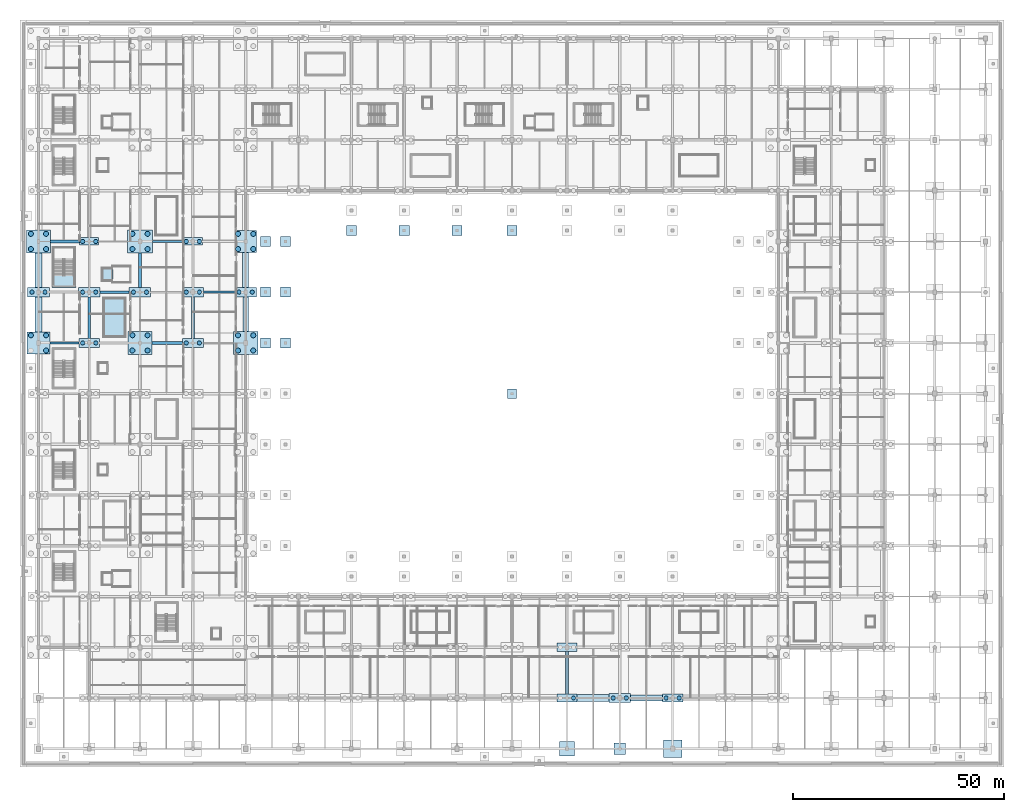
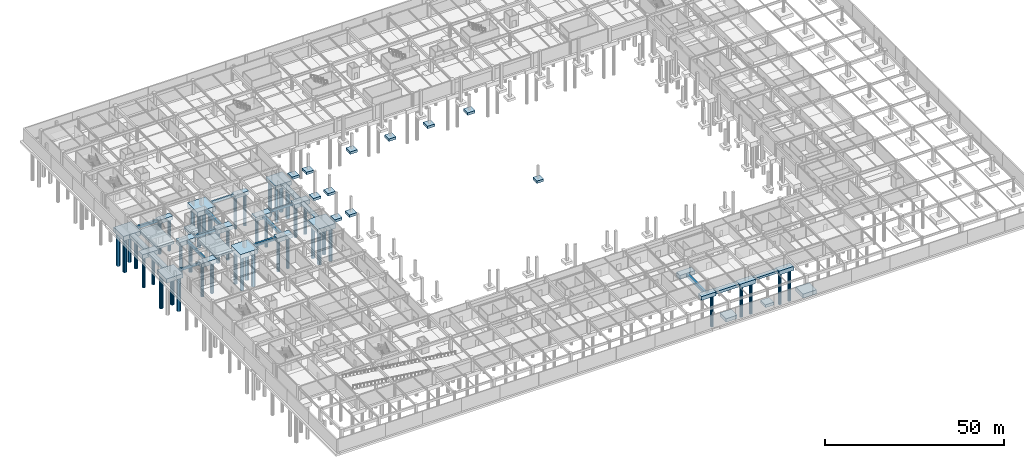
# One storey, part 4 of 56: 52 footings, 46 piles.
"""IFC4 building model written with IfcOpenShell, lengths in metres."""

from ifc_helpers import new_model, si_unit, direction, frame, origin, origin_2d, place, context, subcontext, project, spatial, polyline, rectangle, circle, outline, extrude, material, material_profile, profile_set, type_object, element, save


model = new_model("IFC4")

# Units and contexts
model_context = context("Model", 3, precision=1e-05, world=origin(), true_north=direction((0.0, 1.0)))
body_context = subcontext(model_context, "Body", "Model", "MODEL_VIEW")
ifc_project = project(units=[si_unit("LENGTHUNIT", "METRE"), si_unit("AREAUNIT", "SQUARE_METRE"), si_unit("VOLUMEUNIT", "CUBIC_METRE"), si_unit("PLANEANGLEUNIT", "RADIAN"), si_unit("MASSUNIT", "GRAM", prefix="KILO")], contexts=[model_context])

# Site, building, storey
site_placement = place(None, origin())
site = spatial("IfcSite", under=ifc_project, at=site_placement, CompositionType="ELEMENT")
building_placement = place(site_placement, origin())
building = spatial("IfcBuilding", under=site, at=building_placement, Name="Kazenohara Klinker Stadium", CompositionType="ELEMENT")
storey_placement = place(building_placement, frame((0.0, 0.0, -4.800048828125)))
storey = spatial("IfcBuildingStorey", under=building, at=storey_placement, Name="B01", CompositionType="ELEMENT", Elevation=-4.800048828125)

# Footings
ifc_material = material(Name="Concrete C35/45", Category="concrete")
footing_type_1 = type_object("IfcFootingType", Name="CAP-PC01", PredefinedType="PILE_CAP", material=ifc_material)
for number, where, z_axis, x_axis, name in (
    (1, (12.0, 120.0, -1.25), (0.0, 0.0, 1.0), (1.0, 0.0, 0.0), "Pile cap PC01 at 2/L"),
    (2, (36.5, 120.0, -1.25), (0.0, 0.0, 1.0), (1.0, 0.0, 0.0), "Pile cap PC01 at 4/L"),
):
    element("IfcFooting", number, at=place(storey_placement, frame(where, z_axis=z_axis, x_axis=x_axis)), inside=storey, type_object=footing_type_1, Name=name, PredefinedType="PILE_CAP", context=body_context, shape_type="SweptSolid", body=[
        extrude(rectangle(XDim=4.5, YDim=1.800048828125, at=origin_2d()), origin(), (0.0, 0.0, 1.0), 1.25),
    ])
footing_type_2 = type_object("IfcFootingType", Name="CAP-PC02", PredefinedType="PILE_CAP", material=ifc_material)
footing_1_placement = place(storey_placement, frame((125.0, 12.0, -1.2998046875), z_axis=(0.0, 0.0, 1.0), x_axis=(1.0, 0.0, 0.0)))
element("IfcFooting", 3, at=footing_1_placement, inside=storey, type_object=footing_type_2, Name="Pile cap PC02 at 11/B", PredefinedType="PILE_CAP", context=body_context, shape_type="SweptSolid", body=[
    extrude(rectangle(XDim=4.64990234375, YDim=1.89990234375, at=origin_2d()), origin(), (0.0, 0.0, 1.0), 1.300048828125),
])
footing_type_3 = type_object("IfcFootingType", Name="CAP-PC03", PredefinedType="PILE_CAP", material=ifc_material)
for number, where, z_axis, x_axis, name in (
    (4, (125.0, 24.0, -1.35009765625), (0.0, 0.0, 1.0), (1.0, 0.0, 0.0), "Pile cap PC03 at 11/C"),
    (5, (150.0, 12.0, -1.35009765625), (0.0, 0.0, 1.0), (1.0, 0.0, 0.0), "Pile cap PC03 at 13/B"),
):
    element("IfcFooting", number, at=place(storey_placement, frame(where, z_axis=z_axis, x_axis=x_axis)), inside=storey, type_object=footing_type_3, Name=name, PredefinedType="PILE_CAP", context=body_context, shape_type="SweptSolid", body=[
        extrude(rectangle(XDim=4.800048828125, YDim=2.0, at=origin_2d()), origin(), (0.0, 0.0, 1.0), 1.35009765625),
    ])
footing_type_4 = type_object("IfcFootingType", Name="CAP-PC04", PredefinedType="PILE_CAP", material=ifc_material)
for number, where, z_axis, x_axis, name in (
    (6, (12.0, 96.0, -1.39990234375), (0.0, 0.0, 1.0), (1.0, 0.0, 0.0), "Pile cap PC04 at 2/J"),
    (7, (36.5, 96.0, -1.39990234375), (0.0, 0.0, 1.0), (1.0, 0.0, 0.0), "Pile cap PC04 at 4/J"),
):
    element("IfcFooting", number, at=place(storey_placement, frame(where, z_axis=z_axis, x_axis=x_axis)), inside=storey, type_object=footing_type_4, Name=name, PredefinedType="PILE_CAP", context=body_context, shape_type="SweptSolid", body=[
        extrude(rectangle(XDim=4.949951171875, YDim=2.10009765625, at=origin_2d()), origin(), (0.0, 0.0, 1.0), 1.39990234375),
    ])
footing_type_5 = type_object("IfcFootingType", Name="CAP-PC05", PredefinedType="PILE_CAP", material=ifc_material)
for number, where, z_axis, x_axis, name in (
    (8, (0.0, 108.0, -1.44970703125), (0.0, 0.0, 1.0), (1.0, 0.0, 0.0), "Pile cap PC05 at 1/K"),
    (9, (12.0, 108.0, -1.44970703125), (0.0, 0.0, 1.0), (1.0, 0.0, 0.0), "Pile cap PC05 at 2/K"),
    (10, (24.0, 108.0, -1.44970703125), (0.0, 0.0, 1.0), (1.0, 0.0, 0.0), "Pile cap PC05 at 3/K"),
    (11, (36.5, 108.0, -1.44970703125), (0.0, 0.0, 1.0), (1.0, 0.0, 0.0), "Pile cap PC05 at 4/K"),
    (12, (49.0, 108.0, -1.44970703125), (0.0, 0.0, 1.0), (1.0, 0.0, 0.0), "Pile cap PC05 at 5/K"),
    (13, (137.5, 12.0, -1.44970703125), (0.0, 0.0, 1.0), (1.0, 0.0, 0.0), "Pile cap PC05 at 12/B"),
):
    element("IfcFooting", number, at=place(storey_placement, frame(where, z_axis=z_axis, x_axis=x_axis)), inside=storey, type_object=footing_type_5, Name=name, PredefinedType="PILE_CAP", context=body_context, shape_type="SweptSolid", body=[
        extrude(rectangle(XDim=5.10009765625, YDim=2.199951171875, at=origin_2d()), origin(), (0.0, 0.0, 1.0), 1.449951171875),
    ])
footing_type_6 = type_object("IfcFootingType", Name="CAP-PC06", PredefinedType="PILE_CAP", material=ifc_material)
footing_2_placement = place(storey_placement, frame((49.0, 120.0, -1.39990234375), z_axis=(0.0, 0.0, 1.0), x_axis=(1.0, 0.0, 0.0)))
element("IfcFooting", 14, at=footing_2_placement, inside=storey, type_object=footing_type_6, Name="Pile cap PC06 at 5/L", PredefinedType="PILE_CAP", context=body_context, shape_type="SweptSolid", body=[
    extrude(rectangle(XDim=5.199951171875, YDim=5.199951171875, at=origin_2d()), origin(), (0.0, 0.0, 1.0), 1.39990234375),
])
footing_type_7 = type_object("IfcFootingType", Name="CAP-PC07", PredefinedType="PILE_CAP", material=ifc_material)
footing_3_placement = place(storey_placement, frame((0.0, 96.0, -1.44970703125), z_axis=(0.0, 0.0, 1.0), x_axis=(1.0, 0.0, 0.0)))
element("IfcFooting", 15, at=footing_3_placement, inside=storey, type_object=footing_type_7, Name="Pile cap PC07 at 1/J", PredefinedType="PILE_CAP", context=body_context, shape_type="SweptSolid", body=[
    extrude(rectangle(XDim=5.35009765625, YDim=5.25, at=origin_2d()), origin(), (0.0, 0.0, 1.0), 1.449951171875),
])
footing_type_8 = type_object("IfcFootingType", Name="CAP-PC09", PredefinedType="PILE_CAP", material=ifc_material)
for number, where, z_axis, x_axis, name in (
    (16, (0.0, 120.0, -1.5498046875), (0.0, 0.0, 1.0), (1.0, 0.0, 0.0), "Pile cap PC09 at 1/L"),
    (17, (24.0, 96.0, -1.5498046875), (0.0, 0.0, 1.0), (1.0, 0.0, 0.0), "Pile cap PC09 at 3/J"),
):
    element("IfcFooting", number, at=place(storey_placement, frame(where, z_axis=z_axis, x_axis=x_axis)), inside=storey, type_object=footing_type_8, Name=name, PredefinedType="PILE_CAP", context=body_context, shape_type="SweptSolid", body=[
        extrude(rectangle(XDim=5.60009765625, YDim=5.39990234375, at=origin_2d()), origin(), (0.0, 0.0, 1.0), 1.550048828125),
    ])
footing_type_9 = type_object("IfcFootingType", Name="CAP-PC11", PredefinedType="PILE_CAP", material=ifc_material)
for number, where, z_axis, x_axis, name in (
    (18, (24.0, 120.0, -1.64990234375), (0.0, 0.0, 1.0), (1.0, 0.0, 0.0), "Pile cap PC11 at 3/L"),
    (19, (49.0, 96.0, -1.64990234375), (0.0, 0.0, 1.0), (1.0, 0.0, 0.0), "Pile cap PC11 at 5/J"),
):
    element("IfcFooting", number, at=place(storey_placement, frame(where, z_axis=z_axis, x_axis=x_axis)), inside=storey, type_object=footing_type_9, Name=name, PredefinedType="PILE_CAP", context=body_context, shape_type="SweptSolid", body=[
        extrude(rectangle(XDim=5.85009765625, YDim=5.5, at=origin_2d()), origin(), (0.0, 0.0, 1.0), 1.64990234375),
    ])
footing_type_10 = type_object("IfcFootingType", Name="GBEAM-GB01", PredefinedType="FOOTING_BEAM", material=ifc_material)
footing_4_placement = place(storey_placement, frame((0.0, 0.0, -0.800048828125)))
element("IfcFooting", 20, at=footing_4_placement, inside=storey, type_object=footing_type_10, Name="Foundation tie beam GB01 1-2/J", PredefinedType="FOOTING_BEAM", context=body_context, shape_type="SweptSolid", body=[
    extrude(outline(polyline([(2.675048828125, 95.75), (9.52490234375, 95.75), (9.52490234375, 96.25), (2.675048828125, 96.25), (2.675048828125, 95.75)])), origin(), (0.0, 0.0, 1.0), 0.800048828125),
])
footing_5_placement = place(storey_placement, frame((0.0, 0.0, -0.800048828125)))
element("IfcFooting", 21, at=footing_5_placement, inside=storey, type_object=footing_type_10, Name="Foundation tie beam GB01 3-4/L", PredefinedType="FOOTING_BEAM", context=body_context, shape_type="SweptSolid", body=[
    extrude(outline(polyline([(26.925048828125, 119.75), (34.25, 119.75), (34.25, 120.25), (26.925048828125, 120.25), (26.925048828125, 119.75)])), origin(), (0.0, 0.0, 1.0), 0.800048828125),
])
footing_6_placement = place(storey_placement, frame((0.0, 0.0, -0.800048828125)))
element("IfcFooting", 22, at=footing_6_placement, inside=storey, type_object=footing_type_10, Name="Foundation tie beam GB01 4-5/K", PredefinedType="FOOTING_BEAM", context=body_context, shape_type="SweptSolid", body=[
    extrude(outline(polyline([(39.050048828125, 107.75), (46.449951171875, 107.75), (46.449951171875, 108.25), (39.050048828125, 108.25), (39.050048828125, 107.75)])), origin(), (0.0, 0.0, 1.0), 0.800048828125),
])
footing_type_11 = type_object("IfcFootingType", Name="GBEAM-GB02", PredefinedType="FOOTING_BEAM", material=ifc_material)
footing_7_placement = place(storey_placement, frame((0.0, 0.0, -0.8798828125)))
element("IfcFooting", 23, at=footing_7_placement, inside=storey, type_object=footing_type_11, Name="Foundation tie beam GB02 2/J-K", PredefinedType="FOOTING_BEAM", context=body_context, shape_type="SweptSolid", body=[
    extrude(outline(polyline([(11.7099609375, 97.050048828125), (12.2900390625, 97.050048828125), (12.2900390625, 106.89990234375), (11.7099609375, 106.89990234375), (11.7099609375, 97.050048828125)])), origin(), (0.0, 0.0, 1.0), 0.8798828125),
])
footing_type_12 = type_object("IfcFootingType", Name="GBEAM-GB03", PredefinedType="FOOTING_BEAM", material=ifc_material)
footing_8_placement = place(storey_placement, frame((0.0, 0.0, -0.9599609375)))
element("IfcFooting", 24, at=footing_8_placement, inside=storey, type_object=footing_type_12, Name="Foundation tie beam GB03 1-2/L", PredefinedType="FOOTING_BEAM", context=body_context, shape_type="SweptSolid", body=[
    extrude(outline(polyline([(2.800048828125, 119.675048828125), (9.75, 119.675048828125), (9.75, 120.324951171875), (2.800048828125, 120.324951171875), (2.800048828125, 119.675048828125)])), origin(), (0.0, 0.0, 1.0), 0.9599609375),
])
footing_9_placement = place(storey_placement, frame((0.0, 0.0, -0.9599609375)))
element("IfcFooting", 25, at=footing_9_placement, inside=storey, type_object=footing_type_12, Name="Foundation tie beam GB03 2-3/K", PredefinedType="FOOTING_BEAM", context=body_context, shape_type="SweptSolid", body=[
    extrude(outline(polyline([(14.550048828125, 107.675048828125), (21.449951171875, 107.675048828125), (21.449951171875, 108.324951171875), (14.550048828125, 108.324951171875), (14.550048828125, 107.675048828125)])), origin(), (0.0, 0.0, 1.0), 0.9599609375),
])
footing_10_placement = place(storey_placement, frame((0.0, 0.0, -0.9599609375)))
element("IfcFooting", 26, at=footing_10_placement, inside=storey, type_object=footing_type_12, Name="Foundation tie beam GB03 3-4/J", PredefinedType="FOOTING_BEAM", context=body_context, shape_type="SweptSolid", body=[
    extrude(outline(polyline([(26.800048828125, 95.675048828125), (34.02490234375, 95.675048828125), (34.02490234375, 96.324951171875), (26.800048828125, 96.324951171875), (26.800048828125, 95.675048828125)])), origin(), (0.0, 0.0, 1.0), 0.9599609375),
])
footing_type_13 = type_object("IfcFootingType", Name="GBEAM-GB04", PredefinedType="FOOTING_BEAM", material=ifc_material)
footing_11_placement = place(storey_placement, frame((0.0, 0.0, -1.050048828125)))
element("IfcFooting", 27, at=footing_11_placement, inside=storey, type_object=footing_type_13, Name="Foundation tie beam GB04 3/K-L", PredefinedType="FOOTING_BEAM", context=body_context, shape_type="SweptSolid", body=[
    extrude(outline(polyline([(23.639892578125, 109.10009765625), (24.360107421875, 109.10009765625), (24.360107421875, 117.25), (23.639892578125, 117.25), (23.639892578125, 109.10009765625)])), origin(), (0.0, 0.0, 1.0), 1.050048828125),
])
footing_12_placement = place(storey_placement, frame((0.0, 0.0, -1.050048828125)))
element("IfcFooting", 28, at=footing_12_placement, inside=storey, type_object=footing_type_13, Name="Foundation tie beam GB04 4/J-K", PredefinedType="FOOTING_BEAM", context=body_context, shape_type="SweptSolid", body=[
    extrude(outline(polyline([(36.139892578125, 97.050048828125), (36.860107421875, 97.050048828125), (36.860107421875, 106.89990234375), (36.139892578125, 106.89990234375), (36.139892578125, 97.050048828125)])), origin(), (0.0, 0.0, 1.0), 1.050048828125),
])
footing_13_placement = place(storey_placement, frame((0.0, 0.0, -1.050048828125)))
element("IfcFooting", 29, at=footing_13_placement, inside=storey, type_object=footing_type_13, Name="Foundation tie beam GB04 11/B-C", PredefinedType="FOOTING_BEAM", context=body_context, shape_type="SweptSolid", body=[
    extrude(outline(polyline([(124.639892578125, 12.949951171875), (125.360107421875, 12.949951171875), (125.360107421875, 23.0), (124.639892578125, 23.0), (124.639892578125, 12.949951171875)])), origin(), (0.0, 0.0, 1.0), 1.050048828125),
])
footing_type_14 = type_object("IfcFootingType", Name="PAD-PF01", PredefinedType="PAD_FOOTING", material=ifc_material)
footing_14_placement = place(storey_placement, frame((112.0, 84.0, -0.7998046875), z_axis=(0.0, 0.0, 1.0), x_axis=(1.0, 0.0, 0.0)))
element("IfcFooting", 30, at=footing_14_placement, inside=storey, type_object=footing_type_14, Name="Exterior plinth support pad PF01 PITCH-BOWL-TURF-1", PredefinedType="PAD_FOOTING", context=body_context, shape_type="SweptSolid", body=[
    extrude(rectangle(XDim=2.199951171875, YDim=2.199951171875, at=origin_2d()), origin(), (0.0, 0.0, 1.0), 0.800048828125),
])
footing_type_15 = type_object("IfcFootingType", Name="PAD-PF02", PredefinedType="PAD_FOOTING", material=ifc_material)
for number, where, z_axis, x_axis, name in (
    (31, (58.449951171875, 96.0, -0.85009765625), (0.0, 0.0, 1.0), (1.0, 0.0, 0.0), "Bowl moat raker pad PF02 W-J"),
    (32, (53.72509765625, 96.0, -0.85009765625), (0.0, 0.0, 1.0), (1.0, 0.0, 0.0), "Bowl mid-raker pad PF02 W-J"),
    (33, (58.449951171875, 108.0, -0.85009765625), (0.0, 0.0, 1.0), (1.0, 0.0, 0.0), "Bowl moat raker pad PF02 W-K"),
    (34, (53.72509765625, 108.0, -0.85009765625), (0.0, 0.0, 1.0), (1.0, 0.0, 0.0), "Bowl mid-raker pad PF02 W-K"),
    (35, (58.449951171875, 120.0, -0.85009765625), (0.0, 0.0, 1.0), (1.0, 0.0, 0.0), "Bowl moat raker pad PF02 W-L"),
    (36, (53.72509765625, 120.0, -0.85009765625), (0.0, 0.0, 1.0), (1.0, 0.0, 0.0), "Bowl mid-raker pad PF02 W-L"),
    (37, (74.0, 122.550048828125, -0.85009765625), (0.0, 0.0, 1.0), (1.0, 0.0, 0.0), "Bowl moat raker pad PF02 N-7"),
    (38, (86.5, 122.550048828125, -0.85009765625), (0.0, 0.0, 1.0), (1.0, 0.0, 0.0), "Bowl moat raker pad PF02 N-8"),
    (39, (99.0, 122.550048828125, -0.85009765625), (0.0, 0.0, 1.0), (1.0, 0.0, 0.0), "Bowl moat raker pad PF02 N-9"),
    (40, (112.0, 122.550048828125, -0.85009765625), (0.0, 0.0, 1.0), (1.0, 0.0, 0.0), "Bowl moat raker pad PF02 N-10"),
):
    element("IfcFooting", number, at=place(storey_placement, frame(where, z_axis=z_axis, x_axis=x_axis)), inside=storey, type_object=footing_type_15, Name=name, PredefinedType="PAD_FOOTING", context=body_context, shape_type="SweptSolid", body=[
        extrude(rectangle(XDim=2.39990234375, YDim=2.39990234375, at=origin_2d()), origin(), (0.0, 0.0, 1.0), 0.85009765625),
    ])
footing_type_16 = type_object("IfcFootingType", Name="PAD-PF03", PredefinedType="PAD_FOOTING", material=ifc_material)
footing_15_placement = place(storey_placement, frame((0.0, 0.0, -1.5)))
element("IfcFooting", 41, at=footing_15_placement, inside=storey, type_object=footing_type_16, Name="Elevator pit foundation pad LF02", PredefinedType="PAD_FOOTING", context=body_context, shape_type="SweptSolid", body=[
    extrude(outline(polyline([(14.784912109375, 110.485107421875), (17.614990234375, 110.485107421875), (17.614990234375, 113.9150390625), (14.784912109375, 113.9150390625), (14.784912109375, 110.485107421875)])), origin(), (0.0, 0.0, 1.0), 0.85009765625),
])
footing_type_17 = type_object("IfcFootingType", Name="PAD-PF04", PredefinedType="PAD_FOOTING", material=ifc_material)
footing_16_placement = place(storey_placement, frame((137.5, 0.0, -0.94970703125), z_axis=(0.0, 0.0, 1.0), x_axis=(1.0, 0.0, 0.0)))
element("IfcFooting", 42, at=footing_16_placement, inside=storey, type_object=footing_type_17, Name="Spread footing PF04 at 12/A", PredefinedType="PAD_FOOTING", context=body_context, shape_type="SweptSolid", body=[
    extrude(rectangle(XDim=2.800048828125, YDim=2.699951171875, at=origin_2d()), origin(), (0.0, 0.0, 1.0), 0.949951171875),
])
footing_17_placement = place(storey_placement, frame((0.0, 0.0, -1.550048828125)))
element("IfcFooting", 43, at=footing_17_placement, inside=storey, type_object=footing_type_17, Name="Stairwell core foundation raft ST04", PredefinedType="PAD_FOOTING", context=body_context, shape_type="SweptSolid", body=[
    extrude(outline(polyline([(3.155029296875, 109.135009765625), (8.844970703125, 109.135009765625), (8.844970703125, 118.864990234375), (3.155029296875, 118.864990234375), (3.155029296875, 109.135009765625)])), origin(), (0.0, 0.0, 1.0), 0.900146484375),
])
footing_18_placement = place(storey_placement, frame((0.0, 0.0, -1.550048828125)))
element("IfcFooting", 44, at=footing_18_placement, inside=storey, type_object=footing_type_17, Name="Stairwell core foundation raft ST14", PredefinedType="PAD_FOOTING", context=body_context, shape_type="SweptSolid", body=[
    extrude(outline(polyline([(15.18505859375, 97.135009765625), (20.81494140625, 97.135009765625), (20.81494140625, 106.864990234375), (15.18505859375, 106.864990234375), (15.18505859375, 97.135009765625)])), origin(), (0.0, 0.0, 1.0), 0.900146484375),
])
footing_type_18 = type_object("IfcFootingType", Name="PAD-PF08", PredefinedType="PAD_FOOTING", material=ifc_material)
footing_19_placement = place(storey_placement, frame((125.0, 0.0, -1.14990234375), z_axis=(0.0, 0.0, 1.0), x_axis=(1.0, 0.0, 0.0)))
element("IfcFooting", 45, at=footing_19_placement, inside=storey, type_object=footing_type_18, Name="Spread footing PF08 at 11/A", PredefinedType="PAD_FOOTING", context=body_context, shape_type="SweptSolid", body=[
    extrude(rectangle(XDim=3.60009765625, YDim=3.39990234375, at=origin_2d()), origin(), (0.0, 0.0, 1.0), 1.14990234375),
])
footing_type_19 = type_object("IfcFootingType", Name="PAD-PF12", PredefinedType="PAD_FOOTING", material=ifc_material)
footing_20_placement = place(storey_placement, frame((150.0, 0.0, -1.35009765625), z_axis=(0.0, 0.0, 1.0), x_axis=(1.0, 0.0, 0.0)))
element("IfcFooting", 46, at=footing_20_placement, inside=storey, type_object=footing_type_19, Name="Spread footing PF12 at 13/A", PredefinedType="PAD_FOOTING", context=body_context, shape_type="SweptSolid", body=[
    extrude(rectangle(XDim=4.39990234375, YDim=4.10009765625, at=origin_2d()), origin(), (0.0, 0.0, 1.0), 1.35009765625),
])

# Piles
ifc_material_profile_1 = material_profile(ifc_material, circle(Radius=0.5, at=origin_2d()), Name="BORED-PILE-1000")
ifc_profile_set_1 = profile_set([ifc_material_profile_1], Name="Concrete C35/45")
pile_type_1 = type_object("IfcPileType", Name="PILE-P01-1000", PredefinedType="BORED", material=ifc_profile_set_1)
for number, where, z_axis, x_axis, name in (
    (47, (-1.550048828125, 108.0, -1.349853515625), (0.0, 0.0, -1.0), (1.0, 0.0, 0.0), "Bored pile P01-0009-1"),
    (48, (1.550048828125, 108.0, -1.349853515625), (0.0, 0.0, -1.0), (1.0, 0.0, 0.0), "Bored pile P01-0009-2"),
):
    element("IfcPile", number, at=place(storey_placement, frame(where, z_axis=z_axis, x_axis=x_axis)), inside=storey, type_object=pile_type_1, Name=name, PredefinedType="BORED", context=body_context, shape_type="SweptSolid", body=[
        extrude(circle(Radius=0.5, at=origin_2d()), origin(), (0.0, 0.0, 1.0), 10.64990234375),
    ])
for number, where, z_axis, x_axis, name in (
    (49, (10.449951171875, 96.0, -1.300048828125), (0.0, 0.0, -1.0), (1.0, 0.0, 0.0), "Bored pile P01-0108-1"),
    (50, (13.550048828125, 96.0, -1.300048828125), (0.0, 0.0, -1.0), (1.0, 0.0, 0.0), "Bored pile P01-0108-2"),
):
    element("IfcPile", number, at=place(storey_placement, frame(where, z_axis=z_axis, x_axis=x_axis)), inside=storey, type_object=pile_type_1, Name=name, PredefinedType="BORED", context=body_context, shape_type="SweptSolid", body=[
        extrude(circle(Radius=0.5, at=origin_2d()), origin(), (0.0, 0.0, 1.0), 10.699951171875),
    ])
for number, where, z_axis, x_axis, name in (
    (51, (10.449951171875, 108.0, -1.349853515625), (0.0, 0.0, -1.0), (1.0, 0.0, 0.0), "Bored pile P01-0109-1"),
    (52, (13.550048828125, 108.0, -1.349853515625), (0.0, 0.0, -1.0), (1.0, 0.0, 0.0), "Bored pile P01-0109-2"),
):
    element("IfcPile", number, at=place(storey_placement, frame(where, z_axis=z_axis, x_axis=x_axis)), inside=storey, type_object=pile_type_1, Name=name, PredefinedType="BORED", context=body_context, shape_type="SweptSolid", body=[
        extrude(circle(Radius=0.5, at=origin_2d()), origin(), (0.0, 0.0, 1.0), 10.64990234375),
    ])
for number, where, z_axis, x_axis, name in (
    (53, (10.449951171875, 120.0, -1.14990234375), (0.0, 0.0, -1.0), (1.0, 0.0, 0.0), "Bored pile P01-0110-1"),
    (54, (13.550048828125, 120.0, -1.14990234375), (0.0, 0.0, -1.0), (1.0, 0.0, 0.0), "Bored pile P01-0110-2"),
):
    element("IfcPile", number, at=place(storey_placement, frame(where, z_axis=z_axis, x_axis=x_axis)), inside=storey, type_object=pile_type_1, Name=name, PredefinedType="BORED", context=body_context, shape_type="SweptSolid", body=[
        extrude(circle(Radius=0.5, at=origin_2d()), origin(), (0.0, 0.0, 1.0), 10.85009765625),
    ])
for number, where, z_axis, x_axis, name in (
    (55, (22.449951171875, 108.0, -1.349853515625), (0.0, 0.0, -1.0), (1.0, 0.0, 0.0), "Bored pile P01-0209-1"),
    (56, (25.550048828125, 108.0, -1.349853515625), (0.0, 0.0, -1.0), (1.0, 0.0, 0.0), "Bored pile P01-0209-2"),
):
    element("IfcPile", number, at=place(storey_placement, frame(where, z_axis=z_axis, x_axis=x_axis)), inside=storey, type_object=pile_type_1, Name=name, PredefinedType="BORED", context=body_context, shape_type="SweptSolid", body=[
        extrude(circle(Radius=0.5, at=origin_2d()), origin(), (0.0, 0.0, 1.0), 10.64990234375),
    ])
for number, where, z_axis, x_axis, name in (
    (57, (34.949951171875, 96.0, -1.300048828125), (0.0, 0.0, -1.0), (1.0, 0.0, 0.0), "Bored pile P01-0308-1"),
    (58, (38.050048828125, 96.0, -1.300048828125), (0.0, 0.0, -1.0), (1.0, 0.0, 0.0), "Bored pile P01-0308-2"),
):
    element("IfcPile", number, at=place(storey_placement, frame(where, z_axis=z_axis, x_axis=x_axis)), inside=storey, type_object=pile_type_1, Name=name, PredefinedType="BORED", context=body_context, shape_type="SweptSolid", body=[
        extrude(circle(Radius=0.5, at=origin_2d()), origin(), (0.0, 0.0, 1.0), 10.699951171875),
    ])
for number, where, z_axis, x_axis, name in (
    (59, (34.949951171875, 108.0, -1.349853515625), (0.0, 0.0, -1.0), (1.0, 0.0, 0.0), "Bored pile P01-0309-1"),
    (60, (38.050048828125, 108.0, -1.349853515625), (0.0, 0.0, -1.0), (1.0, 0.0, 0.0), "Bored pile P01-0309-2"),
):
    element("IfcPile", number, at=place(storey_placement, frame(where, z_axis=z_axis, x_axis=x_axis)), inside=storey, type_object=pile_type_1, Name=name, PredefinedType="BORED", context=body_context, shape_type="SweptSolid", body=[
        extrude(circle(Radius=0.5, at=origin_2d()), origin(), (0.0, 0.0, 1.0), 10.64990234375),
    ])
for number, where, z_axis, x_axis, name in (
    (61, (34.949951171875, 120.0, -1.14990234375), (0.0, 0.0, -1.0), (1.0, 0.0, 0.0), "Bored pile P01-0310-1"),
    (62, (38.050048828125, 120.0, -1.14990234375), (0.0, 0.0, -1.0), (1.0, 0.0, 0.0), "Bored pile P01-0310-2"),
):
    element("IfcPile", number, at=place(storey_placement, frame(where, z_axis=z_axis, x_axis=x_axis)), inside=storey, type_object=pile_type_1, Name=name, PredefinedType="BORED", context=body_context, shape_type="SweptSolid", body=[
        extrude(circle(Radius=0.5, at=origin_2d()), origin(), (0.0, 0.0, 1.0), 10.85009765625),
    ])
for number, where, z_axis, x_axis, name in (
    (63, (47.449951171875, 108.0, -1.349853515625), (0.0, 0.0, -1.0), (1.0, 0.0, 0.0), "Bored pile P01-0409-1"),
    (64, (50.550048828125, 108.0, -1.349853515625), (0.0, 0.0, -1.0), (1.0, 0.0, 0.0), "Bored pile P01-0409-2"),
):
    element("IfcPile", number, at=place(storey_placement, frame(where, z_axis=z_axis, x_axis=x_axis)), inside=storey, type_object=pile_type_1, Name=name, PredefinedType="BORED", context=body_context, shape_type="SweptSolid", body=[
        extrude(circle(Radius=0.5, at=origin_2d()), origin(), (0.0, 0.0, 1.0), 10.64990234375),
    ])
pile_placement = place(storey_placement, frame((126.550048828125, 12.0, -1.199951171875), z_axis=(0.0, 0.0, -1.0), x_axis=(1.0, 0.0, 0.0)))
element("IfcPile", 65, at=pile_placement, inside=storey, type_object=pile_type_1, Name="Bored pile P01-1001-2", PredefinedType="BORED", context=body_context, shape_type="SweptSolid", body=[
    extrude(circle(Radius=0.5, at=origin_2d()), origin(), (0.0, 0.0, 1.0), 10.800048828125),
])
for number, where, z_axis, x_axis, name in (
    (66, (135.949951171875, 12.0, -1.349853515625), (0.0, 0.0, -1.0), (1.0, 0.0, 0.0), "Bored pile P01-1101-1"),
    (67, (139.050048828125, 12.0, -1.349853515625), (0.0, 0.0, -1.0), (1.0, 0.0, 0.0), "Bored pile P01-1101-2"),
):
    element("IfcPile", number, at=place(storey_placement, frame(where, z_axis=z_axis, x_axis=x_axis)), inside=storey, type_object=pile_type_1, Name=name, PredefinedType="BORED", context=body_context, shape_type="SweptSolid", body=[
        extrude(circle(Radius=0.5, at=origin_2d()), origin(), (0.0, 0.0, 1.0), 10.64990234375),
    ])
for number, where, z_axis, x_axis, name in (
    (68, (148.449951171875, 12.0, -1.25), (0.0, 0.0, -1.0), (1.0, 0.0, 0.0), "Bored pile P01-1201-1"),
    (69, (151.550048828125, 12.0, -1.25), (0.0, 0.0, -1.0), (1.0, 0.0, 0.0), "Bored pile P01-1201-2"),
):
    element("IfcPile", number, at=place(storey_placement, frame(where, z_axis=z_axis, x_axis=x_axis)), inside=storey, type_object=pile_type_1, Name=name, PredefinedType="BORED", context=body_context, shape_type="SweptSolid", body=[
        extrude(circle(Radius=0.5, at=origin_2d()), origin(), (0.0, 0.0, 1.0), 10.75),
    ])
ifc_material_profile_2 = material_profile(ifc_material, circle(Radius=0.60009765625, at=origin_2d()), Name="BORED-PILE-1200")
ifc_profile_set_2 = profile_set([ifc_material_profile_2], Name="Concrete C35/45")
pile_type_2 = type_object("IfcPileType", Name="PILE-P02-1200", PredefinedType="BORED", material=ifc_profile_set_2)
for number, where, z_axis, x_axis, name in (
    (70, (1.800048828125, 94.199951171875, -1.349853515625), (0.0, 0.0, -1.0), (1.0, 0.0, 0.0), "Bored pile P02-0008-2"),
    (71, (-1.800048828125, 97.800048828125, -1.349853515625), (0.0, 0.0, -1.0), (1.0, 0.0, 0.0), "Bored pile P02-0008-3"),
    (72, (1.800048828125, 97.800048828125, -1.349853515625), (0.0, 0.0, -1.0), (1.0, 0.0, 0.0), "Bored pile P02-0008-4"),
):
    element("IfcPile", number, at=place(storey_placement, frame(where, z_axis=z_axis, x_axis=x_axis)), inside=storey, type_object=pile_type_2, Name=name, PredefinedType="BORED", context=body_context, shape_type="SweptSolid", body=[
        extrude(circle(Radius=0.60009765625, at=origin_2d()), origin(), (0.0, 0.0, 1.0), 11.449951171875),
    ])
for number, where, z_axis, x_axis, name in (
    (73, (-1.800048828125, 118.199951171875, -1.449951171875), (0.0, 0.0, -1.0), (1.0, 0.0, 0.0), "Bored pile P02-0010-1"),
    (74, (1.800048828125, 118.199951171875, -1.449951171875), (0.0, 0.0, -1.0), (1.0, 0.0, 0.0), "Bored pile P02-0010-2"),
    (75, (-1.800048828125, 121.800048828125, -1.449951171875), (0.0, 0.0, -1.0), (1.0, 0.0, 0.0), "Bored pile P02-0010-3"),
    (76, (1.800048828125, 121.800048828125, -1.449951171875), (0.0, 0.0, -1.0), (1.0, 0.0, 0.0), "Bored pile P02-0010-4"),
    (77, (22.199951171875, 94.199951171875, -1.449951171875), (0.0, 0.0, -1.0), (1.0, 0.0, 0.0), "Bored pile P02-0208-1"),
    (78, (25.800048828125, 94.199951171875, -1.449951171875), (0.0, 0.0, -1.0), (1.0, 0.0, 0.0), "Bored pile P02-0208-2"),
    (79, (22.199951171875, 97.800048828125, -1.449951171875), (0.0, 0.0, -1.0), (1.0, 0.0, 0.0), "Bored pile P02-0208-3"),
    (80, (25.800048828125, 97.800048828125, -1.449951171875), (0.0, 0.0, -1.0), (1.0, 0.0, 0.0), "Bored pile P02-0208-4"),
):
    element("IfcPile", number, at=place(storey_placement, frame(where, z_axis=z_axis, x_axis=x_axis)), inside=storey, type_object=pile_type_2, Name=name, PredefinedType="BORED", context=body_context, shape_type="SweptSolid", body=[
        extrude(circle(Radius=0.60009765625, at=origin_2d()), origin(), (0.0, 0.0, 1.0), 11.35009765625),
    ])
for number, where, z_axis, x_axis, name in (
    (81, (22.199951171875, 118.199951171875, -1.550048828125), (0.0, 0.0, -1.0), (1.0, 0.0, 0.0), "Bored pile P02-0210-1"),
    (82, (25.800048828125, 118.199951171875, -1.550048828125), (0.0, 0.0, -1.0), (1.0, 0.0, 0.0), "Bored pile P02-0210-2"),
    (83, (22.199951171875, 121.800048828125, -1.550048828125), (0.0, 0.0, -1.0), (1.0, 0.0, 0.0), "Bored pile P02-0210-3"),
    (84, (25.800048828125, 121.800048828125, -1.550048828125), (0.0, 0.0, -1.0), (1.0, 0.0, 0.0), "Bored pile P02-0210-4"),
    (85, (47.199951171875, 94.199951171875, -1.550048828125), (0.0, 0.0, -1.0), (1.0, 0.0, 0.0), "Bored pile P02-0408-1"),
    (86, (50.800048828125, 94.199951171875, -1.550048828125), (0.0, 0.0, -1.0), (1.0, 0.0, 0.0), "Bored pile P02-0408-2"),
    (87, (47.199951171875, 97.800048828125, -1.550048828125), (0.0, 0.0, -1.0), (1.0, 0.0, 0.0), "Bored pile P02-0408-3"),
    (88, (50.800048828125, 97.800048828125, -1.550048828125), (0.0, 0.0, -1.0), (1.0, 0.0, 0.0), "Bored pile P02-0408-4"),
):
    element("IfcPile", number, at=place(storey_placement, frame(where, z_axis=z_axis, x_axis=x_axis)), inside=storey, type_object=pile_type_2, Name=name, PredefinedType="BORED", context=body_context, shape_type="SweptSolid", body=[
        extrude(circle(Radius=0.60009765625, at=origin_2d()), origin(), (0.0, 0.0, 1.0), 11.25),
    ])
for number, where, z_axis, x_axis, name in (
    (89, (47.199951171875, 118.199951171875, -1.300048828125), (0.0, 0.0, -1.0), (1.0, 0.0, 0.0), "Bored pile P02-0410-1"),
    (90, (50.800048828125, 118.199951171875, -1.300048828125), (0.0, 0.0, -1.0), (1.0, 0.0, 0.0), "Bored pile P02-0410-2"),
    (91, (47.199951171875, 121.800048828125, -1.300048828125), (0.0, 0.0, -1.0), (1.0, 0.0, 0.0), "Bored pile P02-0410-3"),
    (92, (50.800048828125, 121.800048828125, -1.300048828125), (0.0, 0.0, -1.0), (1.0, 0.0, 0.0), "Bored pile P02-0410-4"),
):
    element("IfcPile", number, at=place(storey_placement, frame(where, z_axis=z_axis, x_axis=x_axis)), inside=storey, type_object=pile_type_2, Name=name, PredefinedType="BORED", context=body_context, shape_type="SweptSolid", body=[
        extrude(circle(Radius=0.60009765625, at=origin_2d()), origin(), (0.0, 0.0, 1.0), 11.5),
    ])

# Footings
footing_type_20 = type_object("IfcFootingType", Name="STRIP-SF01", PredefinedType="STRIP_FOOTING", material=ifc_material)
footing_21_placement = place(storey_placement, frame((0.0, 0.0, -0.75)))
element("IfcFooting", 93, at=footing_21_placement, inside=storey, type_object=footing_type_20, Name="Perimeter strip footing SF01 12-13/B", PredefinedType="STRIP_FOOTING", context=body_context, shape_type="SweptSolid", body=[
    extrude(outline(polyline([(140.050048828125, 11.324951171875), (147.60009765625, 11.324951171875), (147.60009765625, 12.675048828125), (140.050048828125, 12.675048828125), (140.050048828125, 11.324951171875)])), origin(), (0.0, 0.0, 1.0), 0.75),
])
footing_22_placement = place(storey_placement, frame((0.0, 0.0, -0.75)))
element("IfcFooting", 94, at=footing_22_placement, inside=storey, type_object=footing_type_20, Name="Perimeter strip footing SF01 5/J-K", PredefinedType="STRIP_FOOTING", context=body_context, shape_type="SweptSolid", body=[
    extrude(outline(polyline([(48.324951171875, 98.75), (49.675048828125, 98.75), (49.675048828125, 106.89990234375), (48.324951171875, 106.89990234375), (48.324951171875, 98.75)])), origin(), (0.0, 0.0, 1.0), 0.75),
])
footing_type_21 = type_object("IfcFootingType", Name="STRIP-SF02", PredefinedType="STRIP_FOOTING", material=ifc_material)
footing_23_placement = place(storey_placement, frame((0.0, 0.0, -0.800048828125)))
element("IfcFooting", 95, at=footing_23_placement, inside=storey, type_object=footing_type_21, Name="Perimeter strip footing SF02 5/K-L", PredefinedType="STRIP_FOOTING", context=body_context, shape_type="SweptSolid", body=[
    extrude(outline(polyline([(48.27490234375, 109.10009765625), (49.72509765625, 109.10009765625), (49.72509765625, 117.39990234375), (48.27490234375, 117.39990234375), (48.27490234375, 109.10009765625)])), origin(), (0.0, 0.0, 1.0), 0.800048828125),
])
footing_type_22 = type_object("IfcFootingType", Name="STRIP-SF04", PredefinedType="STRIP_FOOTING", material=ifc_material)
footing_24_placement = place(storey_placement, frame((0.0, 0.0, -0.949951171875)))
element("IfcFooting", 96, at=footing_24_placement, inside=storey, type_object=footing_type_22, Name="Perimeter strip footing SF04 11-12/B", PredefinedType="STRIP_FOOTING", context=body_context, shape_type="SweptSolid", body=[
    extrude(outline(polyline([(127.324951171875, 11.175048828125), (134.949951171875, 11.175048828125), (134.949951171875, 12.824951171875), (127.324951171875, 12.824951171875), (127.324951171875, 11.175048828125)])), origin(), (0.0, 0.0, 1.0), 0.949951171875),
])
footing_25_placement = place(storey_placement, frame((0.0, 0.0, -0.949951171875)))
element("IfcFooting", 97, at=footing_25_placement, inside=storey, type_object=footing_type_22, Name="Perimeter strip footing SF04 1/J-K", PredefinedType="STRIP_FOOTING", context=body_context, shape_type="SweptSolid", body=[
    extrude(outline(polyline([(-0.824951171875, 98.625), (0.824951171875, 98.625), (0.824951171875, 106.89990234375), (-0.824951171875, 106.89990234375), (-0.824951171875, 98.625)])), origin(), (0.0, 0.0, 1.0), 0.949951171875),
])
footing_26_placement = place(storey_placement, frame((0.0, 0.0, -0.949951171875)))
element("IfcFooting", 98, at=footing_26_placement, inside=storey, type_object=footing_type_22, Name="Perimeter strip footing SF04 1/K-L", PredefinedType="STRIP_FOOTING", context=body_context, shape_type="SweptSolid", body=[
    extrude(outline(polyline([(-0.824951171875, 109.10009765625), (0.824951171875, 109.10009765625), (0.824951171875, 117.300048828125), (-0.824951171875, 117.300048828125), (-0.824951171875, 109.10009765625)])), origin(), (0.0, 0.0, 1.0), 0.949951171875),
])

save(model, "model.ifc")
